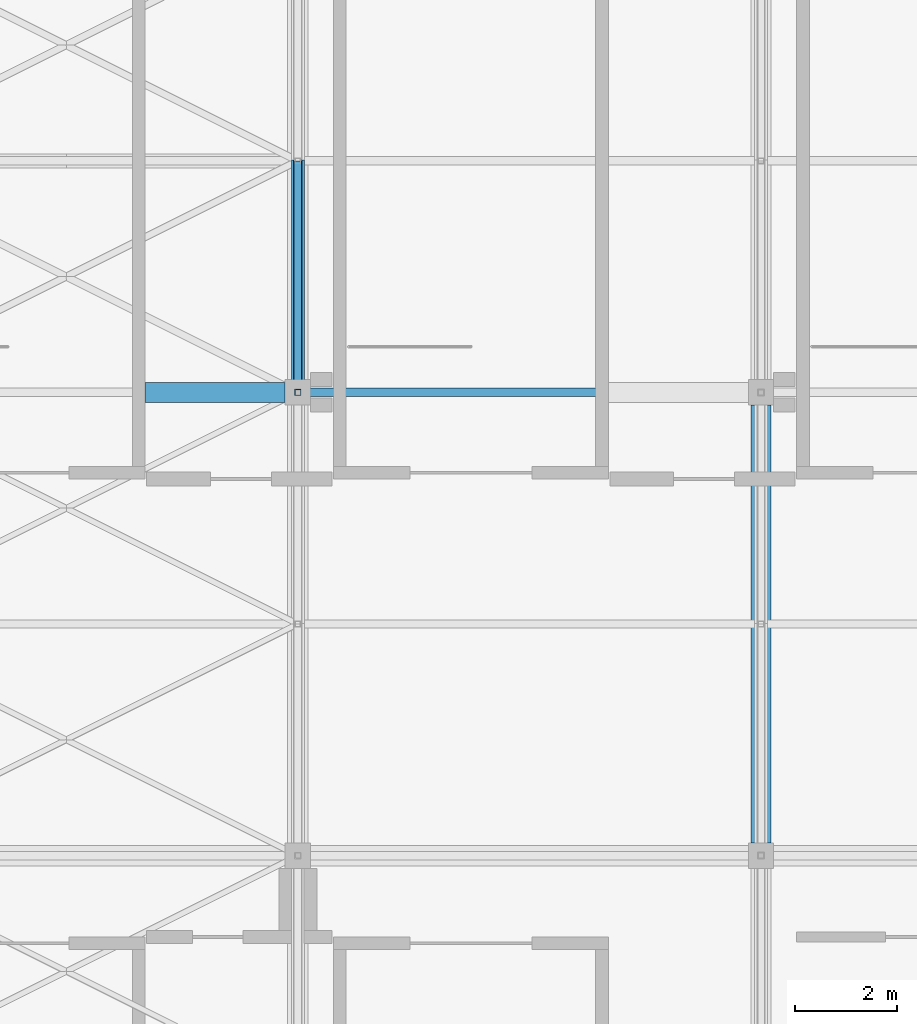
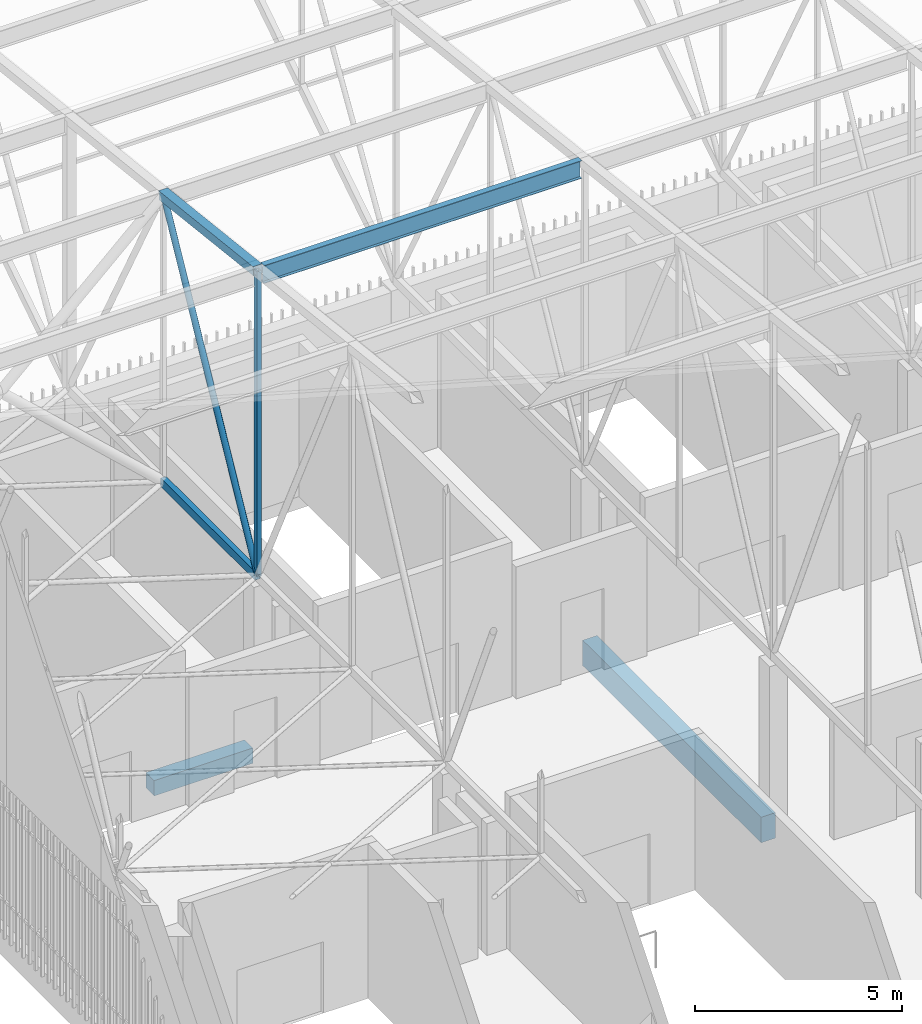
# One storey, part 224 of 500: 5 members, 2 beams.
"""IFC4 building model written with IfcOpenShell, lengths in metres."""

from ifc_helpers import new_model, si_unit, direction, frame, origin, origin_2d, place, context, subcontext, project, spatial, rectangle, hollow_rectangle, hollow_circle, i_section, extrude, material, material_profile, profile_set, type_object, element, save


model = new_model("IFC4")

# Units and contexts
model_context = context("Model", 3, precision=1e-05, world=origin(), true_north=direction((0.0, 1.0)))
body_context = subcontext(model_context, "Body", "Model", "MODEL_VIEW")
ifc_project = project(units=[si_unit("LENGTHUNIT", "METRE"), si_unit("AREAUNIT", "SQUARE_METRE"), si_unit("VOLUMEUNIT", "CUBIC_METRE"), si_unit("PLANEANGLEUNIT", "RADIAN"), si_unit("MASSUNIT", "GRAM", prefix="KILO")], contexts=[model_context])

# Site, building, storey
site_placement = place(None, origin())
site = spatial("IfcSite", under=ifc_project, at=site_placement, CompositionType="ELEMENT")
building_placement = place(site_placement, origin())
building = spatial("IfcBuilding", under=site, at=building_placement, Name="Shirokan Park Arena", CompositionType="ELEMENT")
storey_placement = place(building_placement, frame((0.0, 0.0, 29.1201171875)))
storey = spatial("IfcBuildingStorey", under=building, at=storey_placement, Name="L06", CompositionType="ELEMENT", Elevation=29.1201171875)

# Members
ifc_material_1 = material(Name="Steel ASTM A500 Grade C", Category="steel")
ifc_material_profile_1 = material_profile(ifc_material_1, hollow_rectangle(XDim=0.152099609375, YDim=0.25390625, WallThickness=0.009521484375, at=origin_2d()), Name="HSS254X152.4X9.5")
ifc_profile_set_1 = profile_set([ifc_material_profile_1], Name="Steel ASTM A500 Grade C")
member_type_1 = type_object("IfcMemberType", Name="Bottom chord HSS254X152.4X9.5", PredefinedType="CHORD", material=ifc_profile_set_1)
member_1_placement = place(storey_placement, frame((9.10009765625, 100.10009765625, 4.677001953125), z_axis=(0.0, 1.0, 0.0), x_axis=(-1.0, 0.0, 0.0)))
element("IfcMember", 1, at=member_1_placement, inside=storey, type_object=member_type_1, Name="Truss T02 bottom chord 25", PredefinedType="CHORD", context=body_context, shape_type="SweptSolid", body=[
    extrude(hollow_rectangle(XDim=0.152099609375, YDim=0.25390625, WallThickness=0.009521484375, at=origin_2d()), origin(), (0.0, 0.0, 1.0), 4.5498046875),
])
ifc_material_2 = material(Name="Steel ASTM A992", Category="steel")
ifc_material_profile_2 = material_profile(ifc_material_2, i_section(OverallWidth=0.166015625, OverallDepth=0.528076171875, WebThickness=0.009765625, FlangeThickness=0.013671875, at=origin_2d()), Name="W530X74")
ifc_profile_set_2 = profile_set([ifc_material_profile_2], Name="Steel ASTM A992")
member_type_2 = type_object("IfcMemberType", Name="Purlin W530X74", PredefinedType="PURLIN", material=ifc_profile_set_2)
member_2_placement = place(storey_placement, frame((9.22705078125, 100.10009765625, 13.52587890625), z_axis=(1.0, 0.0, 0.0), x_axis=(0.0, 1.0, 0.0)))
element("IfcMember", 2, at=member_2_placement, inside=storey, type_object=member_type_2, Name="Purlin 25 bay 2", PredefinedType="PURLIN", context=body_context, shape_type="SweptSolid", body=[
    extrude(i_section(OverallWidth=0.166015625, OverallDepth=0.528076171875, WebThickness=0.009765625, FlangeThickness=0.013671875, at=origin_2d()), origin(), (0.0, 0.0, 1.0), 8.845947265625),
])

# Beams
ifc_material_3 = material(Name="Concrete C35", Category="concrete")
ifc_material_profile_3 = material_profile(ifc_material_3, rectangle(XDim=0.39990234375, YDim=0.75, at=origin_2d()), Name="400x750")
ifc_profile_set_3 = profile_set([ifc_material_profile_3], Name="Concrete C35")
beam_type_1 = type_object("IfcBeamType", Name="RC girder 400x750", PredefinedType="BEAM", material=ifc_profile_set_3)
beam_1_placement = place(storey_placement, frame((18.199951171875, 91.25, -0.5751953125), z_axis=(0.0, 1.0, 0.0), x_axis=(-1.0, 0.0, 0.0)))
element("IfcBeam", 3, at=beam_1_placement, inside=storey, type_object=beam_type_1, Name="Girder 3L-3M L06", PredefinedType="BEAM", context=body_context, shape_type="SweptSolid", body=[
    extrude(rectangle(XDim=0.39990234375, YDim=0.75, at=origin_2d()), origin(), (0.0, 0.0, 1.0), 8.599853515625),
])
ifc_material_profile_4 = material_profile(ifc_material_3, rectangle(XDim=0.39990234375, YDim=0.449951171875, at=origin_2d()), Name="400x450")
ifc_profile_set_4 = profile_set([ifc_material_profile_4], Name="Concrete C35")
beam_type_2 = type_object("IfcBeamType", Name="RC trimmer 400x450", PredefinedType="BEAM", material=ifc_profile_set_4)
beam_2_placement = place(storey_placement, frame((6.10009765625, 100.10009765625, -0.425048828125), z_axis=(1.0, 0.0, 0.0), x_axis=(0.0, 1.0, 0.0)))
element("IfcBeam", 4, at=beam_2_placement, inside=storey, type_object=beam_type_2, Name="Girder 1M-2M L06", PredefinedType="BEAM", context=body_context, shape_type="SweptSolid", body=[
    extrude(rectangle(XDim=0.39990234375, YDim=0.449951171875, at=origin_2d()), origin(), (0.0, 0.0, 1.0), 2.749755859375),
])

# Members
ifc_material_profile_5 = material_profile(ifc_material_1, hollow_rectangle(XDim=0.25390625, YDim=0.25390625, WallThickness=0.009521484375, at=origin_2d()), Name="HSS254X254X9.5")
ifc_profile_set_5 = profile_set([ifc_material_profile_5], Name="Steel ASTM A500 Grade C")
member_type_3 = type_object("IfcMemberType", Name="Top chord HSS254X254X9.5", PredefinedType="CHORD", material=ifc_profile_set_5)
member_3_placement = place(storey_placement, frame((9.10009765625, 100.10009765625, 13.662841796875), z_axis=(0.0, 0.993531641592, -0.11355561261), x_axis=(-1.0, 0.0, 0.0)))
element("IfcMember", 5, at=member_3_placement, inside=storey, type_object=member_type_3, Name="Truss T02 top chord 25", PredefinedType="CHORD", context=body_context, shape_type="SweptSolid", body=[
    extrude(hollow_rectangle(XDim=0.25390625, YDim=0.25390625, WallThickness=0.009521484375, at=origin_2d()), origin(), (0.0, 0.0, 1.0), 4.579345703125),
])
ifc_material_profile_6 = material_profile(ifc_material_1, hollow_circle(Radius=0.083984375, WallThickness=0.009521484375, at=origin_2d()), Name="HSS168.3X9.5")
ifc_profile_set_6 = profile_set([ifc_material_profile_6], Name="Steel ASTM A500 Grade C")
member_type_4 = type_object("IfcMemberType", Name="Truss diagonal HSS168.3X9.5", PredefinedType="BRACE", material=ifc_profile_set_6)
member_4_placement = place(storey_placement, frame((9.10009765625, 100.10009765625, 4.677001953125), z_axis=(0.0, 0.47339679801, 0.880849289966), x_axis=(-1.0, 0.0, 0.0)))
element("IfcMember", 6, at=member_4_placement, inside=storey, type_object=member_type_4, Name="Truss T02 diagonal 25", PredefinedType="BRACE", context=body_context, shape_type="SweptSolid", body=[
    extrude(hollow_circle(Radius=0.083984375, WallThickness=0.009521484375, at=origin_2d()), origin(), (0.0, 0.0, 1.0), 9.611083984375),
])
ifc_material_profile_7 = material_profile(ifc_material_1, hollow_rectangle(XDim=0.126953125, YDim=0.126953125, WallThickness=0.0126953125, at=origin_2d()), Name="HSS127X127X12.7")
ifc_profile_set_7 = profile_set([ifc_material_profile_7], Name="Steel ASTM A500 Grade C")
member_type_5 = type_object("IfcMemberType", Name="Truss post HSS127X127X12.7", PredefinedType="POST", material=ifc_profile_set_7)
member_5_placement = place(storey_placement, frame((9.10009765625, 100.10009765625, 4.677001953125), z_axis=(0.0, 0.0, 1.0), x_axis=(1.0, 0.0, 0.0)))
element("IfcMember", 7, at=member_5_placement, inside=storey, type_object=member_type_5, Name="Truss T02 post 25", PredefinedType="POST", context=body_context, shape_type="SweptSolid", body=[
    extrude(hollow_rectangle(XDim=0.126953125, YDim=0.126953125, WallThickness=0.0126953125, at=origin_2d()), origin(), (0.0, 0.0, 1.0), 8.98583984375),
])

save(model, "model.ifc")
